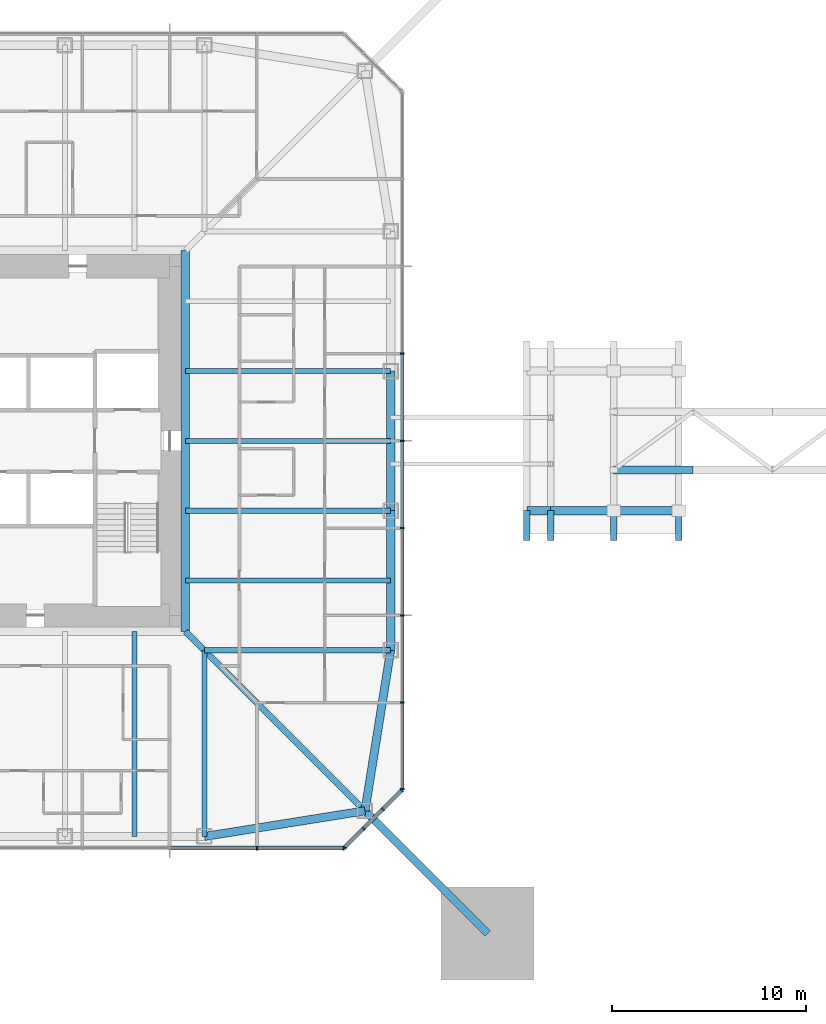
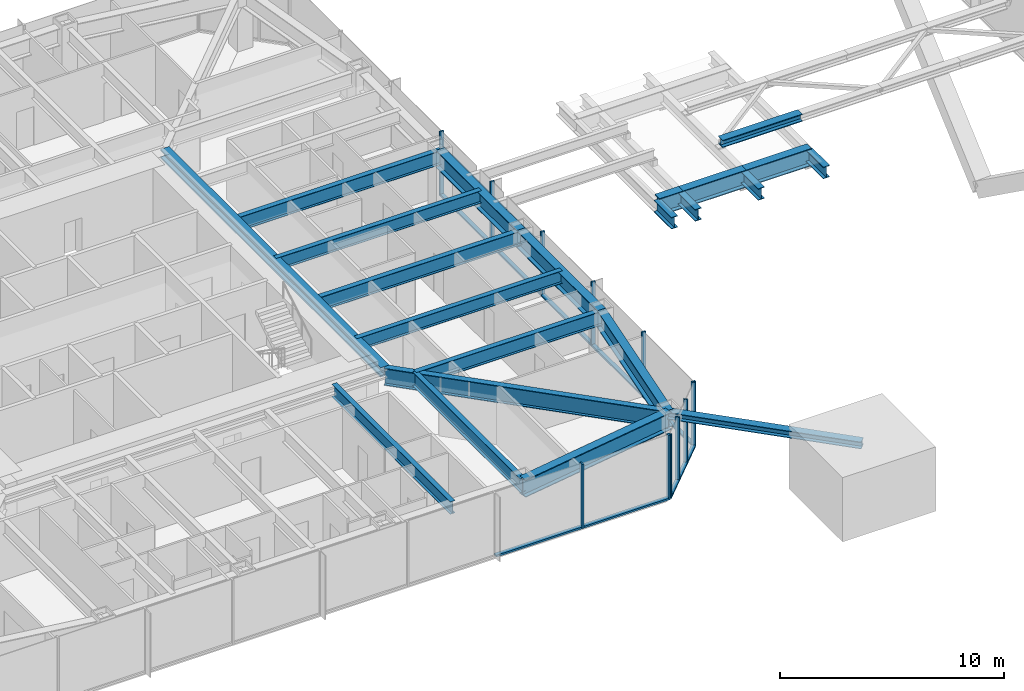
# One storey, part 5 of 27: 26 members, 20 beams, 3 elements without a shape of their own.
"""IFC4 building model written with IfcOpenShell, lengths in metres."""

import ifcopenshell
import ifcopenshell.guid

model = None  # the IFC model being written
_history = None  # IfcOwnerHistory: only IFC2X3 demands one
_inside = {}  # id of a spatial element -> (the spatial element, [elements in it])
_under = {}  # id of a project, library or spatial element -> (it, [spatial elements below it])
_declared = {}  # id of a project -> (the project, [libraries it declares])
_typed = {}  # id of a type object -> (the type object, [elements of that type])
_made_of = {}  # id of a material, layer set ... -> (it, [elements and type objects made of it])


def new_model(schema):
    """Start an empty IFC model of exactly this schema.

    Asked for "IFC4X3", IfcOpenShell would pick the latest addendum, in which some entities
    have other attributes; the version numbers below select the first issue.
    IFC2X3 requires an IfcOwnerHistory on every rooted entity: one is made here for all.
    """
    global model, _history
    if schema == "IFC4X3":
        model = ifcopenshell.file(schema_version=(4, 3, 0, 0))
    else:
        model = ifcopenshell.file(schema=schema)
    _inside.clear()
    _under.clear()
    _declared.clear()
    _typed.clear()
    _made_of.clear()
    _history = None
    if model.schema == "IFC2X3":
        org = make("IfcOrganization", Name="unknown")
        user = make(
            "IfcPersonAndOrganization",
            ThePerson=make("IfcPerson", FamilyName="unknown"),
            TheOrganization=org,
        )
        app = make(
            "IfcApplication",
            ApplicationDeveloper=org,
            Version="unknown",
            ApplicationFullName="unknown",
            ApplicationIdentifier="unknown",
        )
        _history = make(
            "IfcOwnerHistory",
            OwningUser=user,
            OwningApplication=app,
            ChangeAction="ADDED",
            CreationDate=0,
        )
    return model


def make(cls, **values):
    """One entity of the class cls with the attributes given. An attribute that is None is left unset."""
    return model.create_entity(
        cls, **{name: value for name, value in values.items() if value is not None}
    )


def rooted(cls, **values):
    """An entity with a GlobalId (a new one), such as an element, a storey or a relation."""
    return make(cls, GlobalId=ifcopenshell.guid.new(), OwnerHistory=_history, **values)


def si_unit(unit_type, name, prefix=None):
    """IfcSIUnit, for example si_unit("LENGTHUNIT", "METRE", prefix="MILLI")."""
    return make("IfcSIUnit", UnitType=unit_type, Prefix=prefix, Name=name)


def assignment(units):
    """IfcUnitAssignment: the units of a project."""
    return None if units is None else make("IfcUnitAssignment", Units=units)


def point(xyz):
    """IfcCartesianPoint."""
    return None if xyz is None else make("IfcCartesianPoint", Coordinates=xyz)


def direction(xyz):
    """IfcDirection."""
    return None if xyz is None else make("IfcDirection", DirectionRatios=xyz)


def frame(location, z_axis=None, x_axis=None):
    """IfcAxis2Placement3D, a coordinate frame: its origin and axes. An axis left out is left unset."""
    return make(
        "IfcAxis2Placement3D",
        Location=point(location),
        Axis=direction(z_axis),
        RefDirection=direction(x_axis),
    )


def frame_2d(location, x_axis=None):
    """IfcAxis2Placement2D, a coordinate frame in the plane: its origin and x axis."""
    return make(
        "IfcAxis2Placement2D", Location=point(location), RefDirection=direction(x_axis)
    )


def origin():
    """The frame at (0, 0, 0) with its axes left unset."""
    return frame((0.0, 0.0, 0.0))


def origin_2d():
    """The frame at (0, 0) in the plane with its x axis left unset."""
    return frame_2d((0.0, 0.0))


def place(relative_to, where):
    """IfcLocalPlacement: puts the frame where relative to a parent placement (None: the world)."""
    return make(
        "IfcLocalPlacement", PlacementRelTo=relative_to, RelativePlacement=where
    )


def context(
    kind, dimensions, precision=None, world=None, true_north=None, identifier=None
):
    """IfcGeometricRepresentationContext, for example the 3D "Model" context."""
    return make(
        "IfcGeometricRepresentationContext",
        ContextIdentifier=identifier,
        ContextType=kind,
        CoordinateSpaceDimension=dimensions,
        Precision=precision,
        WorldCoordinateSystem=world,
        TrueNorth=true_north,
    )


def subcontext(parent, identifier, kind, view, scale=None):
    """IfcGeometricRepresentationSubContext, for example "Body" below "Model"."""
    return make(
        "IfcGeometricRepresentationSubContext",
        ContextIdentifier=identifier,
        ContextType=kind,
        ParentContext=parent,
        TargetScale=scale,
        TargetView=view,
    )


def project(units=None, contexts=None):
    """IfcProject with its units and contexts."""
    return rooted(
        "IfcProject",
        Name="project",
        RepresentationContexts=contexts,
        UnitsInContext=assignment(units),
    )


def spatial(cls, under=None, at=None, **own):
    """A site, building, storey or space (cls), placed at a placement, below another one or the project."""
    s = rooted(cls, ObjectPlacement=at, **own)
    if under is not None:
        _under.setdefault(under.id(), (under, []))[1].append(s)
    return s


def profile(cls, at=None, kind="AREA", **sizes):
    """A parametric profile (cls). Its sizes go by their IFC names, for example OverallWidth=200.0."""
    return make(cls, ProfileType=kind, Position=at, **sizes)


def rectangle(**sizes):
    """IfcRectangleProfileDef."""
    return profile("IfcRectangleProfileDef", **sizes)


def i_section(**sizes):
    """IfcIShapeProfileDef."""
    return profile("IfcIShapeProfileDef", **sizes)


def extrude(swept, where, along, depth):
    """IfcExtrudedAreaSolid: the profile swept, set in the frame where, extruded along a direction by depth."""
    return make(
        "IfcExtrudedAreaSolid",
        SweptArea=swept,
        Position=where,
        ExtrudedDirection=direction(along),
        Depth=depth,
    )


def shape(context_of_items, identifier, shape_type, items):
    """IfcShapeRepresentation: the items that make up one representation, for example the "Body"."""
    return make(
        "IfcShapeRepresentation",
        ContextOfItems=context_of_items,
        RepresentationIdentifier=identifier,
        RepresentationType=shape_type,
        Items=items,
    )


def material(Name=None, Category=None):
    """IfcMaterial."""
    return make("IfcMaterial", Name=Name, Category=Category)


def material_profile(
    of_material, cross_section, Name=None, Category=None, Priority=None
):
    """IfcMaterialProfile: a cross section and its material."""
    return make(
        "IfcMaterialProfile",
        Name=Name,
        Material=of_material,
        Profile=cross_section,
        Priority=Priority,
        Category=Category,
    )


def profile_set(profiles, Name=None, composite=None):
    """IfcMaterialProfileSet."""
    return make(
        "IfcMaterialProfileSet",
        Name=Name,
        MaterialProfiles=profiles,
        CompositeProfile=composite,
    )


def made_of(thing, what):
    """Note that an element or type object is made of a material, layer set ...; save() writes the relation."""
    if what is not None:
        _made_of.setdefault(what.id(), (what, []))[1].append(thing)
    return thing


def type_object(cls, material=None, **own):
    """A type object (cls), such as IfcWallType, which elements share."""
    return made_of(rooted(cls, **own), material)


def element(
    cls,
    number,
    at=None,
    inside=None,
    cuts=None,
    type_object=None,
    material=None,
    context=None,
    identifier="Body",
    shape_type=None,
    held_by="IfcProductDefinitionShape",
    body=None,
    shapes=None,
    **own,
):
    """One element of the class cls, such as IfcWall. Its Tag is "e" and its number.

    at: its placement. inside: the storey or other place that contains it. cuts: it is an
    opening in that element (IfcRelVoidsElement). A single representation is given by context,
    identifier, shape_type and body (its items); several are given by shapes. held_by: the class
    of the entity that holds the representations. save() writes the other relations.
    """
    e = rooted(cls, Tag="e%d" % number, ObjectPlacement=at, **own)
    if body is not None:
        shapes = [shape(context, identifier, shape_type, body)]
    if shapes is not None:
        e.Representation = make(held_by, Representations=shapes)
    if inside is not None:
        _inside.setdefault(inside.id(), (inside, []))[1].append(e)
    if cuts is not None:
        rooted(
            "IfcRelVoidsElement", RelatingBuildingElement=cuts, RelatedOpeningElement=e
        )
    if type_object is not None:
        _typed.setdefault(type_object.id(), (type_object, []))[1].append(e)
    return made_of(e, material)


def aggregate(whole, parts):
    """IfcRelAggregates: a whole, such as a stair, and the parts it consists of."""
    return rooted("IfcRelAggregates", RelatingObject=whole, RelatedObjects=parts)


def save(model, path):
    """Write the relations noted so far, then the file.

    IfcRelAggregates (storeys below a building ...), IfcRelContainedInSpatialStructure (elements
    in a storey), IfcRelDefinesByType, IfcRelAssociatesMaterial and IfcRelDeclares: one each for
    every whole, place, type object, material and project.
    """
    for whole, parts in _under.values():
        aggregate(whole, parts)
    for where, things in _inside.values():
        rooted(
            "IfcRelContainedInSpatialStructure",
            RelatedElements=things,
            RelatingStructure=where,
        )
    for kind, things in _typed.values():
        rooted("IfcRelDefinesByType", RelatedObjects=things, RelatingType=kind)
    for what, things in _made_of.values():
        rooted("IfcRelAssociatesMaterial", RelatedObjects=things, RelatingMaterial=what)
    for by, libraries in _declared.values():
        rooted("IfcRelDeclares", RelatingContext=by, RelatedDefinitions=libraries)
    model.write(path)


model = new_model("IFC4")

# Units and contexts
model_context = context("Model", 3, precision=1e-05, world=origin(), true_north=direction((0.0, 1.0)))
body_context = subcontext(model_context, "Body", "Model", "MODEL_VIEW")
ifc_project = project(units=[si_unit("LENGTHUNIT", "METRE"), si_unit("AREAUNIT", "SQUARE_METRE"), si_unit("VOLUMEUNIT", "CUBIC_METRE"), si_unit("PLANEANGLEUNIT", "RADIAN"), si_unit("MASSUNIT", "GRAM", prefix="KILO")], contexts=[model_context])

# Site, building, storey
site_placement = place(None, origin())
site = spatial("IfcSite", under=ifc_project, at=site_placement, CompositionType="ELEMENT")
building_placement = place(site_placement, origin())
building = spatial("IfcBuilding", under=site, at=building_placement, Name="Iwan Alto Co-Living Towers", CompositionType="ELEMENT")
storey_placement = place(building_placement, frame((0.0, 0.0, 94.5)))
storey = spatial("IfcBuildingStorey", under=building, at=storey_placement, Name="L25", CompositionType="ELEMENT", Elevation=94.5)

# Beams
ifc_material_1 = material(Name="Steel ASTM A992 Gr 50", Category="steel")
ifc_material_profile_1 = material_profile(ifc_material_1, i_section(OverallWidth=0.424072265625, OverallDepth=0.947509765625, WebThickness=0.02392578125, FlangeThickness=0.042724609375, at=origin_2d()), Name="W36X302")
ifc_profile_set_1 = profile_set([ifc_material_profile_1], Name="Steel ASTM A992 Gr 50")
beam_type_1 = type_object("IfcBeamType", Name="BRIDGE POD EDGE GIRDER W36X302", PredefinedType="BEAM", material=ifc_profile_set_1)
beam_1_placement = place(storey_placement, frame((27.423828125, -3.60009765625, 2.11767578125), z_axis=(1.0, 0.0, 0.0), x_axis=(0.0, 1.0, 0.0)))
element("IfcBeam", 1, at=beam_1_placement, inside=storey, type_object=beam_type_1, Name="BR1 landing grillage edge girder S 1", PredefinedType="BEAM", context=body_context, shape_type="SweptSolid", body=[
    extrude(i_section(OverallWidth=0.424072265625, OverallDepth=0.947509765625, WebThickness=0.02392578125, FlangeThickness=0.042724609375, at=origin_2d()), origin(), (0.0, 0.0, 1.0), 1.22607421875),
])
beam_2_placement = place(storey_placement, frame((28.64990234375, -3.60009765625, 2.11767578125), z_axis=(1.0, 0.0, 0.0), x_axis=(0.0, 1.0, 0.0)))
element("IfcBeam", 2, at=beam_2_placement, inside=storey, type_object=beam_type_1, Name="BR1 landing grillage edge girder S 2", PredefinedType="BEAM", context=body_context, shape_type="SweptSolid", body=[
    extrude(i_section(OverallWidth=0.424072265625, OverallDepth=0.947509765625, WebThickness=0.02392578125, FlangeThickness=0.042724609375, at=origin_2d()), origin(), (0.0, 0.0, 1.0), 3.25),
])
beam_3_placement = place(storey_placement, frame((31.89990234375, -3.60009765625, 2.11767578125), z_axis=(1.0, 0.0, 0.0), x_axis=(0.0, 1.0, 0.0)))
element("IfcBeam", 3, at=beam_3_placement, inside=storey, type_object=beam_type_1, Name="BR1 landing grillage edge girder S 3", PredefinedType="BEAM", context=body_context, shape_type="SweptSolid", body=[
    extrude(i_section(OverallWidth=0.424072265625, OverallDepth=0.947509765625, WebThickness=0.02392578125, FlangeThickness=0.042724609375, at=origin_2d()), origin(), (0.0, 0.0, 1.0), 3.35009765625),
])
ifc_material_2 = material(Name="Steel ASTM A992 Gr 50", Category="steel")
ifc_material_profile_2 = material_profile(ifc_material_2, i_section(OverallWidth=0.32763671875, OverallDepth=0.64013671875, WebThickness=0.01904296875, FlangeThickness=0.033935546875, at=origin_2d()), Name="W24X176")
ifc_profile_set_2 = profile_set([ifc_material_profile_2], Name="Steel ASTM A992 Gr 50")
beam_type_2 = type_object("IfcBeamType", Name="BRIDGE POD GRILLAGE GIRDER W24X176", PredefinedType="BEAM", material=ifc_profile_set_2)
for number, where, z_axis, x_axis, name in (
    (4, (27.423828125, -5.14990234375, 2.11767578125), (0.0, 1.0, 0.0), (-1.0, 0.0, 0.0), "BR1 landing grillage girder 1"),
    (5, (28.64990234375, -5.14990234375, 2.11767578125), (0.0, 1.0, 0.0), (-1.0, 0.0, 0.0), "BR1 landing grillage girder 1"),
    (6, (31.89990234375, -5.14990234375, 2.11767578125), (0.0, 1.0, 0.0), (-1.0, 0.0, 0.0), "BR1 landing grillage girder 1"),
    (7, (35.25, -5.14990234375, 2.11767578125), (0.0, 1.0, 0.0), (-1.0, 0.0, 0.0), "BR1 landing grillage girder 1"),
):
    element("IfcBeam", number, at=place(storey_placement, frame(where, z_axis=z_axis, x_axis=x_axis)), inside=storey, type_object=beam_type_2, Name=name, PredefinedType="BEAM", context=body_context, shape_type="SweptSolid", body=[
        extrude(i_section(OverallWidth=0.32763671875, OverallDepth=0.64013671875, WebThickness=0.01904296875, FlangeThickness=0.033935546875, at=origin_2d()), origin(), (0.0, 0.0, 1.0), 1.5498046875),
    ])

# Member
ifc_material_3 = material(Name="Steel ASTM A992 Gr 50", Category="steel")
ifc_material_profile_3 = material_profile(ifc_material_3, i_section(OverallWidth=0.40380859375, OverallDepth=0.406494140625, WebThickness=0.027099609375, FlangeThickness=0.043701171875, at=origin_2d()), Name="W14X233")
ifc_profile_set_3 = profile_set([ifc_material_profile_3], Name="Steel ASTM A992 Gr 50")
member_type_1 = type_object("IfcMemberType", Name="BRIDGE TRUSS CHORD W14X233", PredefinedType="CHORD", material=ifc_profile_set_3)
member_1_placement = place(storey_placement, frame((31.89990234375, -1.5, 2.720947265625), z_axis=(1.0, 0.0, 0.0), x_axis=(0.0, 1.0, 0.0)))
element("IfcMember", 8, at=member_1_placement, inside=storey, type_object=member_type_1, Name="BR1 truss S bottom chord 1", PredefinedType="CHORD", context=body_context, shape_type="SweptSolid", body=[
    extrude(i_section(OverallWidth=0.40380859375, OverallDepth=0.406494140625, WebThickness=0.027099609375, FlangeThickness=0.043701171875, at=origin_2d()), origin(), (0.0, 0.0, 1.0), 4.10009765625),
])

# Curtain wall, members
ifc_material_4 = material(Name="Bronze aluminium unitised frame", Category="aluminium")
curtain_wall_type_1 = type_object("IfcCurtainWallType", Name="CURTAIN WALL CW-A", PredefinedType="NOTDEFINED", material=ifc_material_4)
curtain_wall_1_placement = place(storey_placement, origin())
curtain_wall_1 = element("IfcCurtainWall", 9, at=curtain_wall_1_placement, inside=storey, type_object=curtain_wall_type_1, Name="T1 curtain wall S L25", PredefinedType="NOTDEFINED")
ifc_material_5 = material(Name="Aluminium 6063-T6 bronze anodised", Category="aluminium")
ifc_material_profile_4 = material_profile(ifc_material_5, rectangle(XDim=0.199951171875, YDim=0.080078125, at=origin_2d()), Name="AL 80X200")
ifc_profile_set_4 = profile_set([ifc_material_profile_4], Name="Aluminium 6063-T6 bronze anodised")
member_type_2 = type_object("IfcMemberType", Name="CW-A MULLION 80X200", PredefinedType="MULLION", material=ifc_profile_set_4)
member_2_placement = place(storey_placement, frame((13.5, -21.0, 0.0), z_axis=(0.0, 0.0, 1.0), x_axis=(0.0, 1.0, 0.0)))
member_2 = element("IfcMember", 10, at=member_2_placement, type_object=member_type_2, Name="CW-A mullion 8", PredefinedType="MULLION", context=body_context, shape_type="SweptSolid", body=[
    extrude(rectangle(XDim=0.199951171875, YDim=0.080078125, at=origin_2d()), origin(), (0.0, 0.0, 1.0), 3.5),
])
member_3_placement = place(storey_placement, frame((17.9599609375, -21.0, 0.0), z_axis=(0.0, 0.0, 1.0), x_axis=(0.0, 1.0, 0.0)))
member_3 = element("IfcMember", 11, at=member_3_placement, type_object=member_type_2, Name="CW-A mullion 9", PredefinedType="MULLION", context=body_context, shape_type="SweptSolid", body=[
    extrude(rectangle(XDim=0.199951171875, YDim=0.080078125, at=origin_2d()), origin(), (0.0, 0.0, 1.0), 3.5),
])

curtain_wall_2_placement = place(storey_placement, origin())
curtain_wall_2 = element("IfcCurtainWall", 12, at=curtain_wall_2_placement, inside=storey, type_object=curtain_wall_type_1, Name="T1 curtain wall E L25", PredefinedType="NOTDEFINED")
member_4_placement = place(storey_placement, frame((21.0, -17.9599609375, 0.0), z_axis=(0.0, 0.0, 1.0), x_axis=(-1.0, 0.0, 0.0)))
member_4 = element("IfcMember", 13, at=member_4_placement, type_object=member_type_2, Name="CW-A mullion 1", PredefinedType="MULLION", context=body_context, shape_type="SweptSolid", body=[
    extrude(rectangle(XDim=0.199951171875, YDim=0.080078125, at=origin_2d()), origin(), (0.0, 0.0, 1.0), 3.5),
])
member_5_placement = place(storey_placement, frame((21.0, -13.5, 0.0), z_axis=(0.0, 0.0, 1.0), x_axis=(-1.0, 0.0, 0.0)))
member_5 = element("IfcMember", 14, at=member_5_placement, type_object=member_type_2, Name="CW-A mullion 2", PredefinedType="MULLION", context=body_context, shape_type="SweptSolid", body=[
    extrude(rectangle(XDim=0.199951171875, YDim=0.080078125, at=origin_2d()), origin(), (0.0, 0.0, 1.0), 3.5),
])
member_6_placement = place(storey_placement, frame((21.0, -9.0, 0.0), z_axis=(0.0, 0.0, 1.0), x_axis=(-1.0, 0.0, 0.0)))
member_6 = element("IfcMember", 15, at=member_6_placement, type_object=member_type_2, Name="CW-A mullion 3", PredefinedType="MULLION", context=body_context, shape_type="SweptSolid", body=[
    extrude(rectangle(XDim=0.199951171875, YDim=0.080078125, at=origin_2d()), origin(), (0.0, 0.0, 1.0), 3.5),
])
member_7_placement = place(storey_placement, frame((21.0, -4.5, 0.0), z_axis=(0.0, 0.0, 1.0), x_axis=(-1.0, 0.0, 0.0)))
member_7 = element("IfcMember", 16, at=member_7_placement, type_object=member_type_2, Name="CW-A mullion 4", PredefinedType="MULLION", context=body_context, shape_type="SweptSolid", body=[
    extrude(rectangle(XDim=0.199951171875, YDim=0.080078125, at=origin_2d()), origin(), (0.0, 0.0, 1.0), 3.5),
])
member_8_placement = place(storey_placement, frame((21.0, 0.0, 0.0), z_axis=(0.0, 0.0, 1.0), x_axis=(-1.0, 0.0, 0.0)))
member_8 = element("IfcMember", 17, at=member_8_placement, type_object=member_type_2, Name="CW-A mullion 5", PredefinedType="MULLION", context=body_context, shape_type="SweptSolid", body=[
    extrude(rectangle(XDim=0.199951171875, YDim=0.080078125, at=origin_2d()), origin(), (0.0, 0.0, 1.0), 3.5),
])
member_9_placement = place(storey_placement, frame((21.0, 4.5, 0.0), z_axis=(0.0, 0.0, 1.0), x_axis=(-1.0, 0.0, 0.0)))
member_9 = element("IfcMember", 18, at=member_9_placement, type_object=member_type_2, Name="CW-A mullion 6", PredefinedType="MULLION", context=body_context, shape_type="SweptSolid", body=[
    extrude(rectangle(XDim=0.199951171875, YDim=0.080078125, at=origin_2d()), origin(), (0.0, 0.0, 1.0), 3.5),
])

# Member
ifc_material_6 = material(Name="Aluminium 6063-T6 bronze anodised", Category="aluminium")
ifc_material_profile_5 = material_profile(ifc_material_6, rectangle(XDim=0.199951171875, YDim=0.10009765625, at=origin_2d()), Name="AL 200X100")
ifc_profile_set_5 = profile_set([ifc_material_profile_5], Name="Aluminium 6063-T6 bronze anodised")
member_type_3 = type_object("IfcMemberType", Name="CW-A TRANSOM 200X100", PredefinedType="USERDEFINED", material=ifc_profile_set_5)
member_10_placement = place(storey_placement, frame((9.0400390625, -21.0, 0.050048828125), z_axis=(1.0, 0.0, 0.0), x_axis=(0.0, 1.0, 0.0)))
member_10 = element("IfcMember", 19, at=member_10_placement, type_object=member_type_3, Name="CW-A transom 7.1", ObjectType="TRANSOM", PredefinedType="USERDEFINED", context=body_context, shape_type="SweptSolid", body=[
    extrude(rectangle(XDim=0.199951171875, YDim=0.10009765625, at=origin_2d()), origin(), (0.0, 0.0, 1.0), 4.419921875),
])

member_11_placement = place(storey_placement, frame((13.5400390625, -21.0, 0.050048828125), z_axis=(1.0, 0.0, 0.0), x_axis=(0.0, 1.0, 0.0)))
member_11 = element("IfcMember", 20, at=member_11_placement, type_object=member_type_3, Name="CW-A transom 8.1", ObjectType="TRANSOM", PredefinedType="USERDEFINED", context=body_context, shape_type="SweptSolid", body=[
    extrude(rectangle(XDim=0.199951171875, YDim=0.10009765625, at=origin_2d()), origin(), (0.0, 0.0, 1.0), 4.3798828125),
])

aggregate(curtain_wall_1, [member_2, member_3, member_10, member_11])

member_12_placement = place(storey_placement, frame((21.0, -17.919921875, 0.050048828125), z_axis=(0.0, 1.0, 0.0), x_axis=(-1.0, 0.0, 0.0)))
member_12 = element("IfcMember", 21, at=member_12_placement, type_object=member_type_3, Name="CW-A transom 1.1", ObjectType="TRANSOM", PredefinedType="USERDEFINED", context=body_context, shape_type="SweptSolid", body=[
    extrude(rectangle(XDim=0.199951171875, YDim=0.10009765625, at=origin_2d()), origin(), (0.0, 0.0, 1.0), 4.3798828125),
])

member_13_placement = place(storey_placement, frame((21.0, -13.4599609375, 0.050048828125), z_axis=(0.0, 1.0, 0.0), x_axis=(-1.0, 0.0, 0.0)))
member_13 = element("IfcMember", 22, at=member_13_placement, type_object=member_type_3, Name="CW-A transom 2.1", ObjectType="TRANSOM", PredefinedType="USERDEFINED", context=body_context, shape_type="SweptSolid", body=[
    extrude(rectangle(XDim=0.199951171875, YDim=0.10009765625, at=origin_2d()), origin(), (0.0, 0.0, 1.0), 4.419921875),
])

member_14_placement = place(storey_placement, frame((21.0, -8.9599609375, 0.050048828125), z_axis=(0.0, 1.0, 0.0), x_axis=(-1.0, 0.0, 0.0)))
member_14 = element("IfcMember", 23, at=member_14_placement, type_object=member_type_3, Name="CW-A transom 3.1", ObjectType="TRANSOM", PredefinedType="USERDEFINED", context=body_context, shape_type="SweptSolid", body=[
    extrude(rectangle(XDim=0.199951171875, YDim=0.10009765625, at=origin_2d()), origin(), (0.0, 0.0, 1.0), 4.419921875),
])

member_15_placement = place(storey_placement, frame((21.0, -4.4599609375, 0.050048828125), z_axis=(0.0, 1.0, 0.0), x_axis=(-1.0, 0.0, 0.0)))
member_15 = element("IfcMember", 24, at=member_15_placement, type_object=member_type_3, Name="CW-A transom 4.1", ObjectType="TRANSOM", PredefinedType="USERDEFINED", context=body_context, shape_type="SweptSolid", body=[
    extrude(rectangle(XDim=0.199951171875, YDim=0.10009765625, at=origin_2d()), origin(), (0.0, 0.0, 1.0), 4.419921875),
])

member_16_placement = place(storey_placement, frame((21.0, -4.4599609375, 2.611572265625), z_axis=(0.0, 1.0, 0.0), x_axis=(-1.0, 0.0, 0.0)))
member_16 = element("IfcMember", 25, at=member_16_placement, type_object=member_type_3, Name="CW-A transom 4.2", ObjectType="TRANSOM", PredefinedType="USERDEFINED", context=body_context, shape_type="SweptSolid", body=[
    extrude(rectangle(XDim=0.199951171875, YDim=0.10009765625, at=origin_2d()), origin(), (0.0, 0.0, 1.0), 4.419921875),
])

member_17_placement = place(storey_placement, frame((21.0, 0.0400390625, 0.050048828125), z_axis=(0.0, 1.0, 0.0), x_axis=(-1.0, 0.0, 0.0)))
member_17 = element("IfcMember", 26, at=member_17_placement, type_object=member_type_3, Name="CW-A transom 5.1", ObjectType="TRANSOM", PredefinedType="USERDEFINED", context=body_context, shape_type="SweptSolid", body=[
    extrude(rectangle(XDim=0.199951171875, YDim=0.10009765625, at=origin_2d()), origin(), (0.0, 0.0, 1.0), 4.419921875),
])

member_18_placement = place(storey_placement, frame((21.0, 0.0400390625, 2.611572265625), z_axis=(0.0, 1.0, 0.0), x_axis=(-1.0, 0.0, 0.0)))
member_18 = element("IfcMember", 27, at=member_18_placement, type_object=member_type_3, Name="CW-A transom 5.2", ObjectType="TRANSOM", PredefinedType="USERDEFINED", context=body_context, shape_type="SweptSolid", body=[
    extrude(rectangle(XDim=0.199951171875, YDim=0.10009765625, at=origin_2d()), origin(), (0.0, 0.0, 1.0), 4.419921875),
])

aggregate(curtain_wall_2, [member_4, member_5, member_6, member_7, member_8, member_9, member_12, member_13, member_14, member_15, member_16, member_17, member_18])

# Curtain wall, members
ifc_material_7 = material(Name="Bronze aluminium unitised frame", Category="aluminium")
curtain_wall_type_2 = type_object("IfcCurtainWallType", Name="CURTAIN WALL CW-B", PredefinedType="NOTDEFINED", material=ifc_material_7)
curtain_wall_3_placement = place(storey_placement, origin())
curtain_wall_3 = element("IfcCurtainWall", 28, at=curtain_wall_3_placement, inside=storey, type_object=curtain_wall_type_2, Name="T1 chamfer curtain wall SE L25", PredefinedType="NOTDEFINED")
ifc_material_8 = material(Name="Aluminium 6063-T6 bronze anodised", Category="aluminium")
ifc_material_profile_6 = material_profile(ifc_material_8, rectangle(XDim=0.199951171875, YDim=0.080078125, at=origin_2d()), Name="AL 80X200")
ifc_profile_set_6 = profile_set([ifc_material_profile_6], Name="Aluminium 6063-T6 bronze anodised")
member_type_4 = type_object("IfcMemberType", Name="CW-B MULLION 80X200", PredefinedType="MULLION", material=ifc_profile_set_6)
member_19_placement = place(storey_placement, frame((18.0283203125, -20.9716796875, 0.0), z_axis=(0.0, 0.0, 1.0), x_axis=(-0.707106781187, 0.707106781187, 0.0)))
member_19 = element("IfcMember", 29, at=member_19_placement, type_object=member_type_4, Name="CW-B mullion 1", PredefinedType="MULLION", context=body_context, shape_type="SweptSolid", body=[
    extrude(rectangle(XDim=0.199951171875, YDim=0.080078125, at=origin_2d()), origin(), (0.0, 0.0, 1.0), 3.5),
])
member_20_placement = place(storey_placement, frame((19.0, -20.0, 0.0), z_axis=(0.0, 0.0, 1.0), x_axis=(-0.707106781187, 0.707106781187, 0.0)))
member_20 = element("IfcMember", 30, at=member_20_placement, type_object=member_type_4, Name="CW-B mullion 2", PredefinedType="MULLION", context=body_context, shape_type="SweptSolid", body=[
    extrude(rectangle(XDim=0.199951171875, YDim=0.080078125, at=origin_2d()), origin(), (0.0, 0.0, 1.0), 3.5),
])
member_21_placement = place(storey_placement, frame((20.0, -19.0, 0.0), z_axis=(0.0, 0.0, 1.0), x_axis=(-0.707106781187, 0.707106781187, 0.0)))
member_21 = element("IfcMember", 31, at=member_21_placement, type_object=member_type_4, Name="CW-B mullion 3", PredefinedType="MULLION", context=body_context, shape_type="SweptSolid", body=[
    extrude(rectangle(XDim=0.199951171875, YDim=0.080078125, at=origin_2d()), origin(), (0.0, 0.0, 1.0), 3.5),
])
member_22_placement = place(storey_placement, frame((20.9716796875, -18.0283203125, 0.0), z_axis=(0.0, 0.0, 1.0), x_axis=(-0.707106781187, 0.707106781187, 0.0)))
member_22 = element("IfcMember", 32, at=member_22_placement, type_object=member_type_4, Name="CW-B mullion 4", PredefinedType="MULLION", context=body_context, shape_type="SweptSolid", body=[
    extrude(rectangle(XDim=0.199951171875, YDim=0.080078125, at=origin_2d()), origin(), (0.0, 0.0, 1.0), 3.5),
])
ifc_material_9 = material(Name="Aluminium 6063-T6 bronze anodised", Category="aluminium")
ifc_material_profile_7 = material_profile(ifc_material_9, rectangle(XDim=0.199951171875, YDim=0.10009765625, at=origin_2d()), Name="AL 200X100")
ifc_profile_set_7 = profile_set([ifc_material_profile_7], Name="Aluminium 6063-T6 bronze anodised")
member_type_5 = type_object("IfcMemberType", Name="CW-B TRANSOM 200X100", PredefinedType="USERDEFINED", material=ifc_profile_set_7)
member_23_placement = place(storey_placement, frame((18.056640625, -20.943359375, 0.050048828125), z_axis=(0.707106781187, 0.707106781187, 0.0), x_axis=(-0.707106781187, 0.707106781187, 0.0)))
member_23 = element("IfcMember", 33, at=member_23_placement, type_object=member_type_5, Name="CW-B transom 1.1", ObjectType="TRANSOM", PredefinedType="USERDEFINED", context=body_context, shape_type="SweptSolid", body=[
    extrude(rectangle(XDim=0.199951171875, YDim=0.10009765625, at=origin_2d()), origin(), (0.0, 0.0, 1.0), 1.2939453125),
])
member_24_placement = place(storey_placement, frame((19.0283203125, -19.9716796875, 0.050048828125), z_axis=(0.707106781187, 0.707106781187, 0.0), x_axis=(-0.707106781187, 0.707106781187, 0.0)))
member_24 = element("IfcMember", 34, at=member_24_placement, type_object=member_type_5, Name="CW-B transom 2.1", ObjectType="TRANSOM", PredefinedType="USERDEFINED", context=body_context, shape_type="SweptSolid", body=[
    extrude(rectangle(XDim=0.199951171875, YDim=0.10009765625, at=origin_2d()), origin(), (0.0, 0.0, 1.0), 1.334228515625),
])
member_25_placement = place(storey_placement, frame((20.0283203125, -18.9716796875, 0.050048828125), z_axis=(0.707106781187, 0.707106781187, 0.0), x_axis=(-0.707106781187, 0.707106781187, 0.0)))
member_25 = element("IfcMember", 35, at=member_25_placement, type_object=member_type_5, Name="CW-B transom 3.1", ObjectType="TRANSOM", PredefinedType="USERDEFINED", context=body_context, shape_type="SweptSolid", body=[
    extrude(rectangle(XDim=0.199951171875, YDim=0.10009765625, at=origin_2d()), origin(), (0.0, 0.0, 1.0), 1.2939453125),
])
aggregate(curtain_wall_3, [member_19, member_20, member_21, member_22, member_23, member_24, member_25])

# Beams
ifc_material_10 = material(Name="Steel ASTM A992 Gr 50", Category="steel")
ifc_material_profile_8 = material_profile(ifc_material_10, i_section(OverallWidth=0.436767578125, OverallDepth=0.51318359375, WebThickness=0.060546875, FlangeThickness=0.096923828125, at=origin_2d()), Name="W14X550")
ifc_profile_set_8 = profile_set([ifc_material_profile_8], Name="Steel ASTM A992 Gr 50")
beam_type_3 = type_object("IfcBeamType", Name="T1 CORE LEDGER BEAM W14X550", PredefinedType="BEAM", material=ifc_profile_set_8)
beam_4_placement = place(storey_placement, frame((9.818359375, -9.818359375, 3.013427734375), z_axis=(0.0, 1.0, 0.0), x_axis=(-1.0, 0.0, 0.0)))
element("IfcBeam", 36, at=beam_4_placement, inside=storey, type_object=beam_type_3, Name="T1 core ledger beam E L26", PredefinedType="BEAM", context=body_context, shape_type="SweptSolid", body=[
    extrude(i_section(OverallWidth=0.436767578125, OverallDepth=0.51318359375, WebThickness=0.060546875, FlangeThickness=0.096923828125, at=origin_2d()), origin(), (0.0, 0.0, 1.0), 19.63671875),
])
ifc_material_11 = material(Name="Steel ASTM A992 Gr 50", Category="steel")
ifc_material_profile_9 = material_profile(ifc_material_11, i_section(OverallWidth=0.307373046875, OverallDepth=0.927001953125, WebThickness=0.01953125, FlangeThickness=0.031982421875, at=origin_2d()), Name="W36X194")
ifc_profile_set_9 = profile_set([ifc_material_profile_9], Name="Steel ASTM A992 Gr 50")
beam_type_4 = type_object("IfcBeamType", Name="T1 CORNER GIRDER W36X194", PredefinedType="BEAM", material=ifc_profile_set_9)
beam_5_placement = place(storey_placement, frame((19.07568359375, -19.07568359375, 2.806396484375), z_axis=(-0.707106781187, 0.707106781187, 0.0), x_axis=(-0.707106781187, -0.707106781187, 0.0)))
element("IfcBeam", 37, at=beam_5_placement, inside=storey, type_object=beam_type_4, Name="T1 corner girder CSE L26", PredefinedType="BEAM", context=body_context, shape_type="SweptSolid", body=[
    extrude(i_section(OverallWidth=0.307373046875, OverallDepth=0.927001953125, WebThickness=0.01953125, FlangeThickness=0.031982421875, at=origin_2d()), origin(), (0.0, 0.0, 1.0), 13.091796875),
])
ifc_material_12 = material(Name="Steel ASTM A992 Gr 50", Category="steel")
ifc_material_profile_10 = material_profile(ifc_material_12, i_section(OverallWidth=0.424072265625, OverallDepth=0.947509765625, WebThickness=0.02392578125, FlangeThickness=0.042724609375, at=origin_2d()), Name="W36X302")
ifc_profile_set_10 = profile_set([ifc_material_profile_10], Name="Steel ASTM A992 Gr 50")
beam_type_5 = type_object("IfcBeamType", Name="T1 EDGE BEAM W36X302", PredefinedType="BEAM", material=ifc_profile_set_10)
for number, where, z_axis, x_axis, name in (
    (38, (10.800048828125, -20.39990234375, 2.79638671875), (0.987438450439, 0.158004134737, 0.0), (-0.158004134737, 0.987438450439, 0.0), "T1 edge beam S4 L26"),
    (39, (19.07568359375, -19.07568359375, 2.79638671875), (0.158004134737, 0.987438450439, 0.0), (-0.987438450439, 0.158004134737, 0.0), "T1 edge beam CSE L26"),
):
    element("IfcBeam", number, at=place(storey_placement, frame(where, z_axis=z_axis, x_axis=x_axis)), inside=storey, type_object=beam_type_5, Name=name, PredefinedType="BEAM", context=body_context, shape_type="SweptSolid", body=[
        extrude(i_section(OverallWidth=0.424072265625, OverallDepth=0.947509765625, WebThickness=0.02392578125, FlangeThickness=0.042724609375, at=origin_2d()), origin(), (0.0, 0.0, 1.0), 8.380859375),
    ])
beam_6_placement = place(storey_placement, frame((20.39990234375, -10.800048828125, 2.79638671875), z_axis=(0.0, 1.0, 0.0), x_axis=(-1.0, 0.0, 0.0)))
element("IfcBeam", 40, at=beam_6_placement, inside=storey, type_object=beam_type_5, Name="T1 edge beam E1 L26", PredefinedType="BEAM", context=body_context, shape_type="SweptSolid", body=[
    extrude(i_section(OverallWidth=0.424072265625, OverallDepth=0.947509765625, WebThickness=0.02392578125, FlangeThickness=0.042724609375, at=origin_2d()), origin(), (0.0, 0.0, 1.0), 7.199951171875),
])
beam_7_placement = place(storey_placement, frame((20.39990234375, -3.60009765625, 2.79638671875), z_axis=(0.0, 1.0, 0.0), x_axis=(-1.0, 0.0, 0.0)))
element("IfcBeam", 41, at=beam_7_placement, inside=storey, type_object=beam_type_5, Name="T1 edge beam E2 L26", PredefinedType="BEAM", context=body_context, shape_type="SweptSolid", body=[
    extrude(i_section(OverallWidth=0.424072265625, OverallDepth=0.947509765625, WebThickness=0.02392578125, FlangeThickness=0.042724609375, at=origin_2d()), origin(), (0.0, 0.0, 1.0), 7.2001953125),
])

# Member
ifc_material_13 = material(Name="Steel ASTM A992 Gr 50", Category="steel")
ifc_material_profile_11 = material_profile(ifc_material_13, i_section(OverallWidth=0.393798828125, OverallDepth=0.3759765625, WebThickness=0.017333984375, FlangeThickness=0.027587890625, at=origin_2d()), Name="W14X145")
ifc_profile_set_11 = profile_set([ifc_material_profile_11], Name="Steel ASTM A992 Gr 50")
member_type_6 = type_object("IfcMemberType", Name="T1 MEGA COLUMN FLOOR TIE W14X145", PredefinedType="STRUT", material=ifc_profile_set_11)
member_26_placement = place(storey_placement, frame((25.39990234375, -25.39990234375, 3.08203125), z_axis=(-0.707106781187, 0.707106781187, 0.0), x_axis=(-0.707106781187, -0.707106781187, 0.0)))
element("IfcMember", 42, at=member_26_placement, inside=storey, type_object=member_type_6, Name="T1 mega column floor tie SE L26", PredefinedType="STRUT", context=body_context, shape_type="SweptSolid", body=[
    extrude(i_section(OverallWidth=0.393798828125, OverallDepth=0.3759765625, WebThickness=0.017333984375, FlangeThickness=0.027587890625, at=origin_2d()), origin(), (0.0, 0.0, 1.0), 8.94384765625),
])

# Beams
ifc_material_14 = material(Name="Steel ASTM A992 Gr 50", Category="steel")
ifc_material_profile_12 = material_profile(ifc_material_14, i_section(OverallWidth=0.2666015625, OverallDepth=0.761962890625, WebThickness=0.014404296875, FlangeThickness=0.021484375, at=origin_2d()), Name="W30X116")
ifc_profile_set_12 = profile_set([ifc_material_profile_12], Name="Steel ASTM A992 Gr 50")
beam_type_6 = type_object("IfcBeamType", Name="T1 RADIAL BEAM W30X116", PredefinedType="BEAM", material=ifc_profile_set_12)
for number, where, z_axis, x_axis, name in (
    (43, (10.800048828125, -20.39990234375, 2.888916015625), (0.0, 1.0, 0.0), (-1.0, 0.0, 0.0), "T1 radial beam S4 L26"),
    (44, (20.39990234375, -10.800048828125, 2.888916015625), (-1.0, 0.0, 0.0), (0.0, -1.0, 0.0), "T1 radial beam E1 L26"),
):
    element("IfcBeam", number, at=place(storey_placement, frame(where, z_axis=z_axis, x_axis=x_axis)), inside=storey, type_object=beam_type_6, Name=name, PredefinedType="BEAM", context=body_context, shape_type="SweptSolid", body=[
        extrude(i_section(OverallWidth=0.2666015625, OverallDepth=0.761962890625, WebThickness=0.014404296875, FlangeThickness=0.021484375, at=origin_2d()), origin(), (0.0, 0.0, 1.0), 9.599853515625),
    ])
for number, where, z_axis, x_axis, name in (
    (45, (20.39990234375, -3.60009765625, 2.888916015625), (-1.0, 0.0, 0.0), (0.0, -1.0, 0.0), "T1 radial beam E2 L26"),
    (46, (20.39990234375, 3.60009765625, 2.888916015625), (-1.0, 0.0, 0.0), (0.0, -1.0, 0.0), "T1 radial beam E3 L26"),
):
    element("IfcBeam", number, at=place(storey_placement, frame(where, z_axis=z_axis, x_axis=x_axis)), inside=storey, type_object=beam_type_6, Name=name, PredefinedType="BEAM", context=body_context, shape_type="SweptSolid", body=[
        extrude(i_section(OverallWidth=0.2666015625, OverallDepth=0.761962890625, WebThickness=0.014404296875, FlangeThickness=0.021484375, at=origin_2d()), origin(), (0.0, 0.0, 1.0), 10.58154296875),
    ])
ifc_material_15 = material(Name="Steel ASTM A992 Gr 50", Category="steel")
ifc_material_profile_13 = material_profile(ifc_material_15, i_section(OverallWidth=0.25390625, OverallDepth=0.683349609375, WebThickness=0.012451171875, FlangeThickness=0.018798828125, at=origin_2d()), Name="W27X94")
ifc_profile_set_13 = profile_set([ifc_material_profile_13], Name="Steel ASTM A992 Gr 50")
beam_type_7 = type_object("IfcBeamType", Name="T1 SECONDARY BEAM W27X94", PredefinedType="JOIST", material=ifc_profile_set_13)
for number, where, z_axis, x_axis, name in (
    (47, (7.199951171875, -20.39990234375, 2.928466796875), (0.0, 1.0, 0.0), (-1.0, 0.0, 0.0), "T1 secondary beam S3 L26"),
    (48, (20.39990234375, -7.199951171875, 2.928466796875), (-1.0, 0.0, 0.0), (0.0, -1.0, 0.0), "T1 secondary beam E1 L26"),
    (49, (20.39990234375, 0.0, 2.928466796875), (-1.0, 0.0, 0.0), (0.0, -1.0, 0.0), "T1 secondary beam E2 L26"),
):
    element("IfcBeam", number, at=place(storey_placement, frame(where, z_axis=z_axis, x_axis=x_axis)), inside=storey, type_object=beam_type_7, Name=name, PredefinedType="JOIST", context=body_context, shape_type="SweptSolid", body=[
        extrude(i_section(OverallWidth=0.25390625, OverallDepth=0.683349609375, WebThickness=0.012451171875, FlangeThickness=0.018798828125, at=origin_2d()), origin(), (0.0, 0.0, 1.0), 10.58154296875),
    ])

save(model, "model.ifc")
